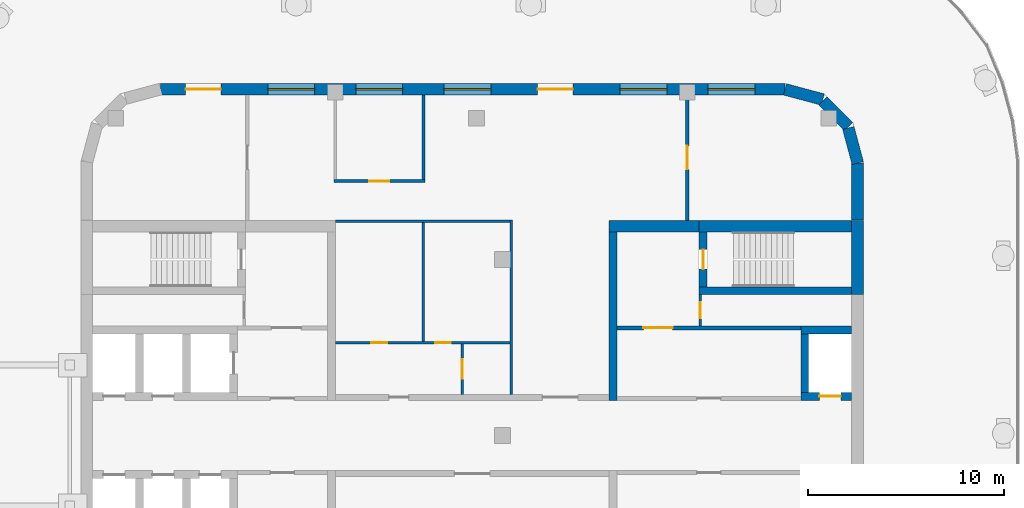
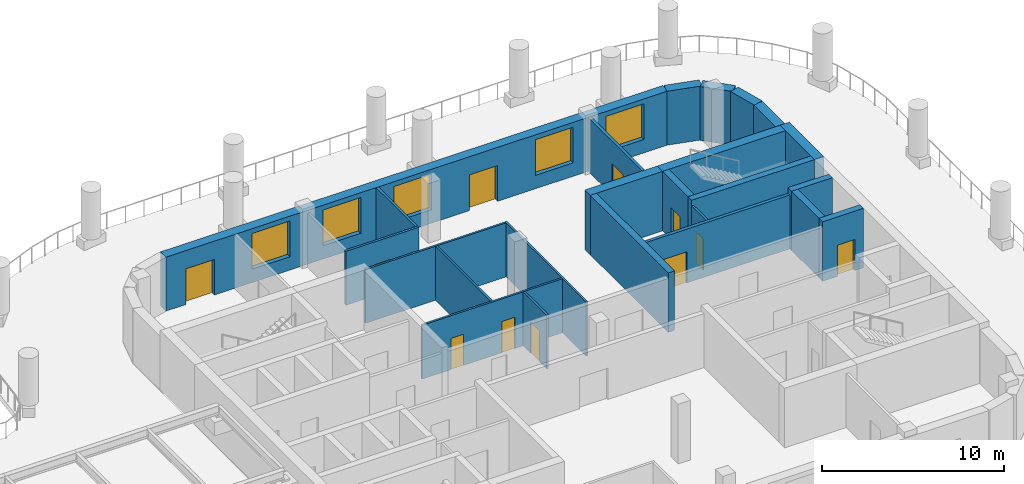
# One storey, part 11 of 18: 24 walls, 11 doors, 5 windows, 16 openings.
"""IFC4 building model written with IfcOpenShell, lengths in metres."""

from ifc_helpers import new_model, si_unit, direction, frame, frame_2d, origin, place, context, subcontext, project, spatial, rectangle, extrude, material, layer, layer_set, type_object, element, fill, save


model = new_model("IFC4")

# Units and contexts
model_context = context("Model", 3, precision=1e-05, world=origin(), true_north=direction((0.0, 1.0)))
body_context = subcontext(model_context, "Body", "Model", "MODEL_VIEW")
ifc_project = project(units=[si_unit("LENGTHUNIT", "METRE"), si_unit("AREAUNIT", "SQUARE_METRE"), si_unit("VOLUMEUNIT", "CUBIC_METRE"), si_unit("PLANEANGLEUNIT", "RADIAN"), si_unit("MASSUNIT", "GRAM", prefix="KILO")], contexts=[model_context])

# Site, building, storey
site_placement = place(None, origin())
site = spatial("IfcSite", under=ifc_project, at=site_placement, CompositionType="ELEMENT")
building_placement = place(site_placement, origin())
building = spatial("IfcBuilding", under=site, at=building_placement, Name="Skarvind Civic Tower", CompositionType="ELEMENT")
storey_placement = place(building_placement, frame((0.0, 0.0, 27.5)))
storey = spatial("IfcBuildingStorey", under=building, at=storey_placement, Name="L05", CompositionType="ELEMENT", Elevation=27.5)

# Wall, opening, door
ifc_material_1 = material(Name="Acoustic gypsum board on steel studs", Category="steel")
ifc_layer_1 = layer(ifc_material_1, 0.175048828125)
ifc_layer_set_1 = layer_set([ifc_layer_1], Name="ACOUSTIC MEETING-ROOM PARTITION 175")
wall_type_1 = type_object("IfcWallType", Name="ACOUSTIC MEETING-ROOM PARTITION 175", PredefinedType="PARTITIONING", material=ifc_layer_set_1)
wall_1_placement = place(storey_placement, frame((158.0, 139.0, 0.0), z_axis=(0.0, 0.0, 1.0), x_axis=(0.0, 1.0, 0.0)))
wall_1 = element("IfcWall", 1, at=wall_1_placement, inside=storey, type_object=wall_type_1, Name="Partition 05.017", PredefinedType="PARTITIONING", context=body_context, shape_type="SweptSolid", body=[
    extrude(rectangle(XDim=6.39990234375, YDim=0.175048828125, at=frame_2d((3.199951171875, 0.0))), origin(), (0.0, 0.0, 1.0), 3.625),
])
opening_1_placement = place(wall_1_placement, frame((2.60009765625, 0.0, 0.0)))
opening_1 = element("IfcOpeningElement", 2, at=opening_1_placement, cuts=wall_1, Name="Opening L05-D108", PredefinedType="OPENING", context=body_context, shape_type="SweptSolid", body=[
    extrude(rectangle(XDim=1.199951171875, YDim=2.10009765625, at=frame_2d((0.60009765625, 1.050048828125))), frame((0.0, 0.097412109375, 0.0), z_axis=(0.0, -1.0, 0.0), x_axis=(1.0, 0.0, 0.0)), (0.0, 0.0, 1.0), 0.195068359375),
])
ifc_material_2 = material(Name="Timber door leaf", Category="wood")
door_type_1 = type_object("IfcDoorType", Name="DOOR 1200X2100 DOUBLE TIMBER", OperationType="NOTDEFINED", PredefinedType="DOOR", material=ifc_material_2)
door_1_placement = place(opening_1_placement, origin())
door_1 = element("IfcDoor", 3, at=door_1_placement, inside=storey, type_object=door_type_1, Name="Door L05-D108", OperationType="DOUBLE_DOOR_SINGLE_SWING", OverallHeight=2.10009765625, OverallWidth=1.199951171875, PredefinedType="DOOR", context=body_context, shape_type="SweptSolid", body=[
    extrude(rectangle(XDim=1.199951171875, YDim=2.10009765625, at=frame_2d((0.60009765625, 1.050048828125))), frame((0.0, 0.02490234375, 0.0), z_axis=(0.0, -1.0, 0.0), x_axis=(1.0, 0.0, 0.0)), (0.0, 0.0, 1.0), 0.050048828125),
])
fill(opening_1, door_1)

ifc_material_3 = material(Name="Fire-rated masonry partition", Category="masonry")
ifc_layer_2 = layer(ifc_material_3, 0.199951171875)
ifc_layer_set_2 = layer_set([ifc_layer_2], Name="Core enclosure wall 200")
wall_type_2 = type_object("IfcWallType", Name="Core enclosure wall 200", PredefinedType="PARTITIONING", material=ifc_layer_set_2)
wall_2_placement = place(storey_placement, frame((154.39990234375, 133.5, 0.0), z_axis=(0.0, 0.0, 1.0), x_axis=(1.0, 0.0, 0.0)))
wall_2 = element("IfcWall", 4, at=wall_2_placement, inside=storey, type_object=wall_type_2, Name="Core wall CB", PredefinedType="PARTITIONING", context=body_context, shape_type="SweptSolid", body=[
    extrude(rectangle(XDim=9.400146484375, YDim=0.199951171875, at=frame_2d((4.7001953125, 0.0))), origin(), (0.0, 0.0, 1.0), 3.625),
])
opening_2_placement = place(wall_2_placement, frame((1.35009765625, 0.0, 0.0)))
opening_2 = element("IfcOpeningElement", 5, at=opening_2_placement, cuts=wall_2, Name="Opening D-L05-CB-08", PredefinedType="OPENING", context=body_context, shape_type="SweptSolid", body=[
    extrude(rectangle(XDim=1.5, YDim=2.10009765625, at=frame_2d((0.75, 1.050048828125))), frame((0.0, 0.10986328125, 0.0), z_axis=(0.0, -1.0, 0.0), x_axis=(1.0, 0.0, 0.0)), (0.0, 0.0, 1.0), 0.219970703125),
])
ifc_material_4 = material(Name="Fire-rated steel door", Category="steel")
door_type_2 = type_object("IfcDoorType", Name="Fire door 1500", OperationType="NOTDEFINED", PredefinedType="DOOR", material=ifc_material_4)
door_2_placement = place(opening_2_placement, origin())
door_2 = element("IfcDoor", 6, at=door_2_placement, inside=storey, type_object=door_type_2, Name="Fire door", OperationType="DOUBLE_DOOR_SINGLE_SWING", OverallHeight=2.10009765625, OverallWidth=1.5, PredefinedType="DOOR", context=body_context, shape_type="SweptSolid", body=[
    extrude(rectangle(XDim=1.5, YDim=2.10009765625, at=frame_2d((0.75, 1.050048828125))), frame((0.0, 0.02490234375, 0.0), z_axis=(0.0, -1.0, 0.0), x_axis=(1.0, 0.0, 0.0)), (0.0, 0.0, 1.0), 0.050048828125),
])
fill(opening_2, door_2)

# Wall
ifc_material_5 = material(Name="Concrete C80", Category="concrete")
ifc_layer_3 = layer(ifc_material_5, 0.39990234375)
ifc_layer_set_3 = layer_set([ifc_layer_3], Name="Core wall 400 C80")
wall_type_3 = type_object("IfcWallType", Name="Core wall 400 C80", PredefinedType="SHEAR", material=ifc_layer_set_3)
wall_3_placement = place(storey_placement, frame((166.39990234375, 135.39990234375, 0.0), z_axis=(0.0, 0.0, 1.0), x_axis=(-1.0, 0.0, 0.0)))
element("IfcWall", 7, at=wall_3_placement, inside=storey, type_object=wall_type_3, Name="Core wall CB south stair inner L05", PredefinedType="SHEAR", context=body_context, shape_type="SweptSolid", body=[
    extrude(rectangle(XDim=7.7998046875, YDim=0.39990234375, at=frame_2d((3.89990234375, 0.0))), origin(), (0.0, 0.0, 1.0), 4.0),
])

# Wall, opening, door
wall_4_placement = place(storey_placement, frame((158.800048828125, 138.39990234375, 0.0), z_axis=(0.0, 0.0, 1.0), x_axis=(0.0, -1.0, 0.0)))
wall_4 = element("IfcWall", 8, at=wall_4_placement, inside=storey, type_object=wall_type_3, Name="Core wall CB south stair end L05", PredefinedType="SHEAR", context=body_context, shape_type="SweptSolid", body=[
    extrude(rectangle(XDim=2.7998046875, YDim=0.39990234375, at=frame_2d((1.39990234375, 0.0))), origin(), (0.0, 0.0, 1.0), 4.0),
])
opening_3_placement = place(wall_4_placement, frame((0.89990234375, 0.0, 0.0)))
opening_3 = element("IfcOpeningElement", 9, at=opening_3_placement, cuts=wall_4, Name="Opening D-L05-CB-09", PredefinedType="OPENING", context=body_context, shape_type="SweptSolid", body=[
    extrude(rectangle(XDim=1.0, YDim=2.10009765625, at=frame_2d((0.5, 1.050048828125))), frame((0.0, 0.2099609375, 0.0), z_axis=(0.0, -1.0, 0.0), x_axis=(1.0, 0.0, 0.0)), (0.0, 0.0, 1.0), 0.419921875),
])
door_type_3 = type_object("IfcDoorType", Name="Fire door 1000", OperationType="NOTDEFINED", PredefinedType="DOOR", material=ifc_material_4)
door_3_placement = place(opening_3_placement, origin())
door_3 = element("IfcDoor", 10, at=door_3_placement, inside=storey, type_object=door_type_3, Name="Fire door", OperationType="SINGLE_SWING_RIGHT", OverallHeight=2.10009765625, OverallWidth=1.0, PredefinedType="DOOR", context=body_context, shape_type="SweptSolid", body=[
    extrude(rectangle(XDim=1.0, YDim=2.10009765625, at=frame_2d((0.5, 1.050048828125))), frame((0.0, 0.02490234375, 0.0), z_axis=(0.0, -1.0, 0.0), x_axis=(1.0, 0.0, 0.0)), (0.0, 0.0, 1.0), 0.050048828125),
])
fill(opening_3, door_3)

wall_5_placement = place(storey_placement, frame((166.39990234375, 130.0, 0.0), z_axis=(0.0, 0.0, 1.0), x_axis=(-1.0, 0.0, 0.0)))
wall_5 = element("IfcWall", 11, at=wall_5_placement, inside=storey, type_object=wall_type_3, Name="Core wall CB south lift row front L05", PredefinedType="SHEAR", context=body_context, shape_type="SweptSolid", body=[
    extrude(rectangle(XDim=2.599853515625, YDim=0.39990234375, at=frame_2d((1.2998046875, 0.0))), origin(), (0.0, 0.0, 1.0), 4.0),
])
opening_4_placement = place(wall_5_placement, frame((0.550048828125, 0.0, 0.0)))
opening_4 = element("IfcOpeningElement", 12, at=opening_4_placement, cuts=wall_5, Name="Opening LD07402", PredefinedType="OPENING", context=body_context, shape_type="SweptSolid", body=[
    extrude(rectangle(XDim=1.10009765625, YDim=2.10009765625, at=frame_2d((0.550048828125, 1.050048828125))), frame((0.0, 0.2099609375, 0.0), z_axis=(0.0, -1.0, 0.0), x_axis=(1.0, 0.0, 0.0)), (0.0, 0.0, 1.0), 0.419921875),
])
ifc_material_6 = material(Name="Stainless steel landing door", Category="steel")
door_type_4 = type_object("IfcDoorType", Name="Lift landing door 1100", OperationType="DOUBLE_DOOR_SLIDING", PredefinedType="DOOR", material=ifc_material_6)
door_4_placement = place(opening_4_placement, origin())
door_4 = element("IfcDoor", 13, at=door_4_placement, inside=storey, type_object=door_type_4, Name="Lift landing door", OperationType="DOUBLE_DOOR_SLIDING", OverallHeight=2.10009765625, OverallWidth=1.10009765625, PredefinedType="DOOR", context=body_context, shape_type="SweptSolid", body=[
    extrude(rectangle(XDim=1.10009765625, YDim=2.10009765625, at=frame_2d((0.550048828125, 1.050048828125))), frame((0.0, 0.02490234375, 0.0), z_axis=(0.0, -1.0, 0.0), x_axis=(1.0, 0.0, 0.0)), (0.0, 0.0, 1.0), 0.050048828125),
])
fill(opening_4, door_4)

# Walls
wall_6_placement = place(storey_placement, frame((166.39990234375, 133.39990234375, 0.0), z_axis=(0.0, 0.0, 1.0), x_axis=(-1.0, 0.0, 0.0)))
element("IfcWall", 14, at=wall_6_placement, inside=storey, type_object=wall_type_3, Name="Core wall CB south lift row back L05", PredefinedType="SHEAR", context=body_context, shape_type="SweptSolid", body=[
    extrude(rectangle(XDim=2.599853515625, YDim=0.39990234375, at=frame_2d((1.2998046875, 0.0))), origin(), (0.0, 0.0, 1.0), 4.0),
])
wall_7_placement = place(storey_placement, frame((164.0, 133.199951171875, 0.0), z_axis=(0.0, 0.0, 1.0), x_axis=(0.0, -1.0, 0.0)))
element("IfcWall", 15, at=wall_7_placement, inside=storey, type_object=wall_type_3, Name="Core wall CB south lift row division 1 L05", PredefinedType="SHEAR", context=body_context, shape_type="SweptSolid", body=[
    extrude(rectangle(XDim=3.0, YDim=0.39990234375, at=frame_2d((1.5, 0.0))), origin(), (0.0, 0.0, 1.0), 4.0),
])
wall_8_placement = place(storey_placement, frame((154.199951171875, 138.39990234375, 0.0), z_axis=(0.0, 0.0, 1.0), x_axis=(0.0, -1.0, 0.0)))
element("IfcWall", 16, at=wall_8_placement, inside=storey, type_object=wall_type_3, Name="Core wall CB south inner face L05", PredefinedType="SHEAR", context=body_context, shape_type="SweptSolid", body=[
    extrude(rectangle(XDim=8.599853515625, YDim=0.39990234375, at=frame_2d((4.2998046875, 0.0))), origin(), (0.0, 0.0, 1.0), 4.0),
])
ifc_layer_4 = layer(ifc_material_5, 0.60009765625)
ifc_layer_set_4 = layer_set([ifc_layer_4], Name="Core wall 600 C80")
wall_type_4 = type_object("IfcWallType", Name="Core wall 600 C80", PredefinedType="SHEAR", material=ifc_layer_set_4)
wall_9_placement = place(storey_placement, frame((166.699951171875, 139.0, 0.0), z_axis=(0.0, 0.0, 1.0), x_axis=(0.0, -1.0, 0.0)))
element("IfcWall", 17, at=wall_9_placement, inside=storey, type_object=wall_type_4, Name="Core wall CB tip at the south stair L05", PredefinedType="SHEAR", context=body_context, shape_type="SweptSolid", body=[
    extrude(rectangle(XDim=3.800048828125, YDim=0.60009765625, at=frame_2d((1.89990234375, 0.0))), origin(), (0.0, 0.0, 1.0), 4.0),
])
wall_10_placement = place(storey_placement, frame((166.39990234375, 138.699951171875, 0.0), z_axis=(0.0, 0.0, 1.0), x_axis=(-1.0, 0.0, 0.0)))
element("IfcWall", 18, at=wall_10_placement, inside=storey, type_object=wall_type_4, Name="Core wall CB south side at the stair L05", PredefinedType="SHEAR", context=body_context, shape_type="SweptSolid", body=[
    extrude(rectangle(XDim=7.7998046875, YDim=0.60009765625, at=frame_2d((3.89990234375, 0.0))), origin(), (0.0, 0.0, 1.0), 4.0),
])
wall_11_placement = place(storey_placement, frame((158.60009765625, 138.699951171875, 0.0), z_axis=(0.0, 0.0, 1.0), x_axis=(-1.0, 0.0, 0.0)))
element("IfcWall", 19, at=wall_11_placement, inside=storey, type_object=wall_type_4, Name="Core wall CB south side L05", PredefinedType="SHEAR", context=body_context, shape_type="SweptSolid", body=[
    extrude(rectangle(XDim=4.60009765625, YDim=0.60009765625, at=frame_2d((2.300048828125, 0.0))), origin(), (0.0, 0.0, 1.0), 4.0),
])

# Wall, opening, door
ifc_material_7 = material(Name="Plasterboard partition on steel studs", Category="steel")
ifc_layer_5 = layer(ifc_material_7, 0.14990234375)
ifc_layer_set_5 = layer_set([ifc_layer_5], Name="PARTITION 150")
wall_type_5 = type_object("IfcWallType", Name="PARTITION 150", PredefinedType="PARTITIONING", material=ifc_layer_set_5)
wall_12_placement = place(storey_placement, frame((144.574951171875, 141.0, 0.0), z_axis=(0.0, 0.0, 1.0), x_axis=(-1.0, 0.0, 0.0)))
wall_12 = element("IfcWall", 20, at=wall_12_placement, inside=storey, type_object=wall_type_5, Name="Partition 05.011", PredefinedType="PARTITIONING", context=body_context, shape_type="SweptSolid", body=[
    extrude(rectangle(XDim=4.64990234375, YDim=0.14990234375, at=frame_2d((2.324951171875, 0.0))), origin(), (0.0, 0.0, 1.0), 3.625),
])
opening_5_placement = place(wall_12_placement, frame((1.824951171875, 0.0, 0.0)))
opening_5 = element("IfcOpeningElement", 21, at=opening_5_placement, cuts=wall_12, Name="Opening L05-D106", PredefinedType="OPENING", context=body_context, shape_type="SweptSolid", body=[
    extrude(rectangle(XDim=1.0, YDim=2.10009765625, at=frame_2d((0.5, 1.050048828125))), frame((0.0, 0.0849609375, 0.0), z_axis=(0.0, -1.0, 0.0), x_axis=(1.0, 0.0, 0.0)), (0.0, 0.0, 1.0), 0.169921875),
])
door_type_5 = type_object("IfcDoorType", Name="D1 1000x2100", OperationType="NOTDEFINED", PredefinedType="DOOR", material=ifc_material_2)
door_5_placement = place(opening_5_placement, origin())
door_5 = element("IfcDoor", 22, at=door_5_placement, inside=storey, type_object=door_type_5, Name="Door L05-D106", OperationType="SINGLE_SWING_LEFT", OverallHeight=2.10009765625, OverallWidth=1.0, PredefinedType="DOOR", context=body_context, shape_type="SweptSolid", body=[
    extrude(rectangle(XDim=1.0, YDim=2.10009765625, at=frame_2d((0.5, 1.050048828125))), frame((0.0, 0.02490234375, 0.0), z_axis=(0.0, -1.0, 0.0), x_axis=(1.0, 0.0, 0.0)), (0.0, 0.0, 1.0), 0.050048828125),
])
fill(opening_5, door_5)

# Wall
wall_13_placement = place(storey_placement, frame((144.5, 145.39990234375, 0.0), z_axis=(0.0, 0.0, 1.0), x_axis=(0.0, -1.0, 0.0)))
element("IfcWall", 23, at=wall_13_placement, inside=storey, type_object=wall_type_5, Name="Partition 05.012", PredefinedType="PARTITIONING", context=body_context, shape_type="SweptSolid", body=[
    extrude(rectangle(XDim=4.324951171875, YDim=0.14990234375, at=frame_2d((2.16259765625, 0.0))), origin(), (0.0, 0.0, 1.0), 3.625),
])

# Wall, opening, door
ifc_layer_6 = layer(ifc_material_3, 0.125)
ifc_layer_set_6 = layer_set([ifc_layer_6], Name="Riser wall 125")
wall_type_6 = type_object("IfcWallType", Name="Riser wall 125", PredefinedType="PARTITIONING", material=ifc_layer_set_6)
wall_14_placement = place(storey_placement, frame((158.66259765625, 133.60009765625, 0.0), z_axis=(0.0, 0.0, 1.0), x_axis=(0.0, 1.0, 0.0)))
wall_14 = element("IfcWall", 24, at=wall_14_placement, inside=storey, type_object=wall_type_6, Name="Core wall CB", PredefinedType="PARTITIONING", context=body_context, shape_type="SweptSolid", body=[
    extrude(rectangle(XDim=1.599853515625, YDim=0.125, at=frame_2d((0.7998046875, 0.0))), origin(), (0.0, 0.0, 1.0), 3.625),
])
opening_6_placement = place(wall_14_placement, frame((0.39990234375, 0.0, 0.0)))
opening_6 = element("IfcOpeningElement", 25, at=opening_6_placement, cuts=wall_14, Name="Opening D-L05-CB-10", PredefinedType="OPENING", context=body_context, shape_type="SweptSolid", body=[
    extrude(rectangle(XDim=0.800048828125, YDim=2.10009765625, at=frame_2d((0.39990234375, 1.050048828125))), frame((0.0, 0.072509765625, 0.0), z_axis=(0.0, -1.0, 0.0), x_axis=(1.0, 0.0, 0.0)), (0.0, 0.0, 1.0), 0.14501953125),
])
door_type_6 = type_object("IfcDoorType", Name="Core riser door 800", OperationType="NOTDEFINED", PredefinedType="DOOR", material=ifc_material_4)
door_6_placement = place(opening_6_placement, origin())
door_6 = element("IfcDoor", 26, at=door_6_placement, inside=storey, type_object=door_type_6, Name="Riser door", OperationType="SINGLE_SWING_LEFT", OverallHeight=2.10009765625, OverallWidth=0.800048828125, PredefinedType="DOOR", context=body_context, shape_type="SweptSolid", body=[
    extrude(rectangle(XDim=0.800048828125, YDim=2.10009765625, at=frame_2d((0.39990234375, 1.050048828125))), frame((0.0, 0.02490234375, 0.0), z_axis=(0.0, -1.0, 0.0), x_axis=(1.0, 0.0, 0.0)), (0.0, 0.0, 1.0), 0.050048828125),
])
fill(opening_6, door_6)

# Wall, openings, doors
ifc_material_8 = material(Name="Moisture-resistant gypsum board on steel studs", Category="steel")
ifc_layer_7 = layer(ifc_material_8, 0.125)
ifc_layer_set_7 = layer_set([ifc_layer_7], Name="WC PARTITION 125")
wall_type_7 = type_object("IfcWallType", Name="WC PARTITION 125", PredefinedType="PARTITIONING", material=ifc_layer_set_7)
wall_15_placement = place(storey_placement, frame((140.0, 132.75, 0.0), z_axis=(0.0, 0.0, 1.0), x_axis=(1.0, 0.0, 0.0)))
wall_15 = element("IfcWall", 27, at=wall_15_placement, inside=storey, type_object=wall_type_7, Name="Partition 05.006", PredefinedType="PARTITIONING", context=body_context, shape_type="SweptSolid", body=[
    extrude(rectangle(XDim=8.93798828125, YDim=0.125, at=frame_2d((4.468994140625, 0.0))), origin(), (0.0, 0.0, 1.0), 3.625),
])
opening_7_placement = place(wall_15_placement, frame((1.85009765625, 0.0, 0.0)))
opening_7 = element("IfcOpeningElement", 28, at=opening_7_placement, cuts=wall_15, Name="Opening L05-D103", PredefinedType="OPENING", context=body_context, shape_type="SweptSolid", body=[
    extrude(rectangle(XDim=0.800048828125, YDim=2.10009765625, at=frame_2d((0.39990234375, 1.050048828125))), frame((0.0, 0.072509765625, 0.0), z_axis=(0.0, -1.0, 0.0), x_axis=(1.0, 0.0, 0.0)), (0.0, 0.0, 1.0), 0.14501953125),
])
opening_8_placement = place(wall_15_placement, frame((5.1015625, 0.0, 0.0)))
opening_8 = element("IfcOpeningElement", 29, at=opening_8_placement, cuts=wall_15, Name="Opening L05-D104", PredefinedType="OPENING", context=body_context, shape_type="SweptSolid", body=[
    extrude(rectangle(XDim=0.800048828125, YDim=2.10009765625, at=frame_2d((0.39990234375, 1.050048828125))), frame((0.0, 0.072509765625, 0.0), z_axis=(0.0, -1.0, 0.0), x_axis=(1.0, 0.0, 0.0)), (0.0, 0.0, 1.0), 0.14501953125),
])
door_type_7 = type_object("IfcDoorType", Name="DOOR 800X2100 TIMBER", OperationType="NOTDEFINED", PredefinedType="DOOR", material=ifc_material_2)
door_7_placement = place(opening_7_placement, origin())
door_7 = element("IfcDoor", 30, at=door_7_placement, inside=storey, type_object=door_type_7, Name="Door L05-D103", OperationType="SINGLE_SWING_LEFT", OverallHeight=2.10009765625, OverallWidth=0.800048828125, PredefinedType="DOOR", context=body_context, shape_type="SweptSolid", body=[
    extrude(rectangle(XDim=0.800048828125, YDim=2.10009765625, at=frame_2d((0.39990234375, 1.050048828125))), frame((0.0, 0.02490234375, 0.0), z_axis=(0.0, -1.0, 0.0), x_axis=(1.0, 0.0, 0.0)), (0.0, 0.0, 1.0), 0.050048828125),
])
fill(opening_7, door_7)
door_8_placement = place(opening_8_placement, origin())
door_8 = element("IfcDoor", 31, at=door_8_placement, inside=storey, type_object=door_type_7, Name="Door L05-D104", OperationType="SINGLE_SWING_LEFT", OverallHeight=2.10009765625, OverallWidth=0.800048828125, PredefinedType="DOOR", context=body_context, shape_type="SweptSolid", body=[
    extrude(rectangle(XDim=0.800048828125, YDim=2.10009765625, at=frame_2d((0.39990234375, 1.050048828125))), frame((0.0, 0.02490234375, 0.0), z_axis=(0.0, -1.0, 0.0), x_axis=(1.0, 0.0, 0.0)), (0.0, 0.0, 1.0), 0.050048828125),
])
fill(opening_8, door_8)

# Walls
wall_16_placement = place(storey_placement, frame((140.0, 138.949951171875, 0.0), z_axis=(0.0, 0.0, 1.0), x_axis=(1.0, 0.0, 0.0)))
element("IfcWall", 32, at=wall_16_placement, inside=storey, type_object=wall_type_7, Name="Partition 05.007", PredefinedType="PARTITIONING", context=body_context, shape_type="SweptSolid", body=[
    extrude(rectangle(XDim=8.93798828125, YDim=0.125, at=frame_2d((4.468994140625, 0.0))), origin(), (0.0, 0.0, 1.0), 3.625),
])
wall_17_placement = place(storey_placement, frame((144.5, 132.81201171875, 0.0), z_axis=(0.0, 0.0, 1.0), x_axis=(0.0, 1.0, 0.0)))
element("IfcWall", 33, at=wall_17_placement, inside=storey, type_object=wall_type_7, Name="Partition 05.010", PredefinedType="PARTITIONING", context=body_context, shape_type="SweptSolid", body=[
    extrude(rectangle(XDim=6.075927734375, YDim=0.125, at=frame_2d((3.0380859375, 0.0))), origin(), (0.0, 0.0, 1.0), 3.625),
])

# Wall, opening, door
wall_18_placement = place(storey_placement, frame((146.5, 132.68798828125, 0.0), z_axis=(0.0, 0.0, 1.0), x_axis=(0.0, -1.0, 0.0)))
wall_18 = element("IfcWall", 34, at=wall_18_placement, inside=storey, type_object=wall_type_7, Name="Partition 05.013", PredefinedType="PARTITIONING", context=body_context, shape_type="SweptSolid", body=[
    extrude(rectangle(XDim=2.587890625, YDim=0.125, at=frame_2d((1.2939453125, 0.0))), origin(), (0.0, 0.0, 1.0), 3.625),
])
opening_9_placement = place(wall_18_placement, frame((0.7939453125, 0.0, 0.0)))
opening_9 = element("IfcOpeningElement", 35, at=opening_9_placement, cuts=wall_18, Name="Opening L05-D102", PredefinedType="OPENING", context=body_context, shape_type="SweptSolid", body=[
    extrude(rectangle(XDim=1.0, YDim=2.10009765625, at=frame_2d((0.5, 1.050048828125))), frame((0.0, 0.072509765625, 0.0), z_axis=(0.0, -1.0, 0.0), x_axis=(1.0, 0.0, 0.0)), (0.0, 0.0, 1.0), 0.14501953125),
])
door_9_placement = place(opening_9_placement, origin())
door_9 = element("IfcDoor", 36, at=door_9_placement, inside=storey, type_object=door_type_5, Name="Door L05-D102", OperationType="SINGLE_SWING_RIGHT", OverallHeight=2.10009765625, OverallWidth=1.0, PredefinedType="DOOR", context=body_context, shape_type="SweptSolid", body=[
    extrude(rectangle(XDim=1.0, YDim=2.10009765625, at=frame_2d((0.5, 1.050048828125))), frame((0.0, 0.02490234375, 0.0), z_axis=(0.0, -1.0, 0.0), x_axis=(1.0, 0.0, 0.0)), (0.0, 0.0, 1.0), 0.050048828125),
])
fill(opening_9, door_9)

# Wall
wall_19_placement = place(storey_placement, frame((149.0, 139.011962890625, 0.0), z_axis=(0.0, 0.0, 1.0), x_axis=(0.0, -1.0, 0.0)))
element("IfcWall", 37, at=wall_19_placement, inside=storey, type_object=wall_type_7, Name="Partition 05.014", PredefinedType="PARTITIONING", context=body_context, shape_type="SweptSolid", body=[
    extrude(rectangle(XDim=8.911865234375, YDim=0.125, at=frame_2d((4.4560546875, 0.0))), origin(), (0.0, 0.0, 1.0), 3.625),
])

# Wall, openings, doors, windows
ifc_material_9 = material(Name="Limestone masonry cladding on insulated backing", Category="masonry")
ifc_layer_8 = layer(ifc_material_9, 0.60009765625)
ifc_layer_set_8 = layer_set([ifc_layer_8], Name="WX1 STONE FACADE WALL 600")
wall_type_8 = type_object("IfcWallType", Name="WX1 STONE FACADE WALL 600", PredefinedType="SOLIDWALL", material=ifc_layer_set_8)
wall_20_placement = place(storey_placement, frame((131.070068359375, 145.699951171875, 0.0), z_axis=(0.0, 0.0, 1.0), x_axis=(1.0, 0.0, 0.0)))
wall_20 = element("IfcWall", 38, at=wall_20_placement, inside=storey, type_object=wall_type_8, Name="STONE FACADE WALL", PredefinedType="SOLIDWALL", context=body_context, shape_type="SweptSolid", body=[
    extrude(rectangle(XDim=31.929931640625, YDim=0.60009765625, at=frame_2d((15.96484375, 0.0))), origin(), (0.0, 0.0, 1.0), 3.625),
])
opening_10_placement = place(wall_20_placement, frame((1.280029296875, 0.0, 0.0)))
opening_10 = element("IfcOpeningElement", 39, at=opening_10_placement, cuts=wall_20, Name="Opening DX3", PredefinedType="OPENING", context=body_context, shape_type="SweptSolid", body=[
    extrude(rectangle(XDim=1.800048828125, YDim=2.39990234375, at=frame_2d((0.89990234375, 1.199951171875))), frame((0.0, 0.31005859375, 0.0), z_axis=(0.0, -1.0, 0.0), x_axis=(1.0, 0.0, 0.0)), (0.0, 0.0, 1.0), 0.6201171875),
])
opening_11_placement = place(wall_20_placement, frame((5.47998046875, 0.0, 0.89990234375)))
opening_11 = element("IfcOpeningElement", 40, at=opening_11_placement, cuts=wall_20, Name="Opening WN9", PredefinedType="OPENING", context=body_context, shape_type="SweptSolid", body=[
    extrude(rectangle(XDim=2.39990234375, YDim=2.39990234375, at=frame_2d((1.199951171875, 1.199951171875))), frame((0.0, 0.31005859375, 0.0), z_axis=(0.0, -1.0, 0.0), x_axis=(1.0, 0.0, 0.0)), (0.0, 0.0, 1.0), 0.6201171875),
])
opening_12_placement = place(wall_20_placement, frame((9.97998046875, 0.0, 0.89990234375)))
opening_12 = element("IfcOpeningElement", 41, at=opening_12_placement, cuts=wall_20, Name="Opening WN9", PredefinedType="OPENING", context=body_context, shape_type="SweptSolid", body=[
    extrude(rectangle(XDim=2.39990234375, YDim=2.39990234375, at=frame_2d((1.199951171875, 1.199951171875))), frame((0.0, 0.31005859375, 0.0), z_axis=(0.0, -1.0, 0.0), x_axis=(1.0, 0.0, 0.0)), (0.0, 0.0, 1.0), 0.6201171875),
])
opening_13_placement = place(wall_20_placement, frame((14.47998046875, 0.0, 0.89990234375)))
opening_13 = element("IfcOpeningElement", 42, at=opening_13_placement, cuts=wall_20, Name="Opening WN9", PredefinedType="OPENING", context=body_context, shape_type="SweptSolid", body=[
    extrude(rectangle(XDim=2.39990234375, YDim=2.39990234375, at=frame_2d((1.199951171875, 1.199951171875))), frame((0.0, 0.31005859375, 0.0), z_axis=(0.0, -1.0, 0.0), x_axis=(1.0, 0.0, 0.0)), (0.0, 0.0, 1.0), 0.6201171875),
])
opening_14_placement = place(wall_20_placement, frame((19.280029296875, 0.0, 0.0)))
opening_14 = element("IfcOpeningElement", 43, at=opening_14_placement, cuts=wall_20, Name="Opening DX3", PredefinedType="OPENING", context=body_context, shape_type="SweptSolid", body=[
    extrude(rectangle(XDim=1.800048828125, YDim=2.39990234375, at=frame_2d((0.89990234375, 1.199951171875))), frame((0.0, 0.31005859375, 0.0), z_axis=(0.0, -1.0, 0.0), x_axis=(1.0, 0.0, 0.0)), (0.0, 0.0, 1.0), 0.6201171875),
])
opening_15_placement = place(wall_20_placement, frame((23.47998046875, 0.0, 0.89990234375)))
opening_15 = element("IfcOpeningElement", 44, at=opening_15_placement, cuts=wall_20, Name="Opening WN9", PredefinedType="OPENING", context=body_context, shape_type="SweptSolid", body=[
    extrude(rectangle(XDim=2.39990234375, YDim=2.39990234375, at=frame_2d((1.199951171875, 1.199951171875))), frame((0.0, 0.31005859375, 0.0), z_axis=(0.0, -1.0, 0.0), x_axis=(1.0, 0.0, 0.0)), (0.0, 0.0, 1.0), 0.6201171875),
])
opening_16_placement = place(wall_20_placement, frame((27.97998046875, 0.0, 0.89990234375)))
opening_16 = element("IfcOpeningElement", 45, at=opening_16_placement, cuts=wall_20, Name="Opening WN9", PredefinedType="OPENING", context=body_context, shape_type="SweptSolid", body=[
    extrude(rectangle(XDim=2.39990234375, YDim=2.39990234375, at=frame_2d((1.199951171875, 1.199951171875))), frame((0.0, 0.31005859375, 0.0), z_axis=(0.0, -1.0, 0.0), x_axis=(1.0, 0.0, 0.0)), (0.0, 0.0, 1.0), 0.6201171875),
])
ifc_material_10 = material(Name="Timber and glass doorset", Category="wood")
door_type_8 = type_object("IfcDoorType", Name="DX3 TERRACE DOORS 1800 x 2400", OperationType="NOTDEFINED", PredefinedType="DOOR", material=ifc_material_10)
door_10_placement = place(opening_10_placement, origin())
door_10 = element("IfcDoor", 46, at=door_10_placement, inside=storey, type_object=door_type_8, Name="TERRACE DOORS", OperationType="DOUBLE_DOOR_SINGLE_SWING", OverallHeight=2.39990234375, OverallWidth=1.800048828125, PredefinedType="DOOR", context=body_context, shape_type="SweptSolid", body=[
    extrude(rectangle(XDim=1.800048828125, YDim=2.39990234375, at=frame_2d((0.89990234375, 1.199951171875))), frame((0.0, 0.02490234375, 0.0), z_axis=(0.0, -1.0, 0.0), x_axis=(1.0, 0.0, 0.0)), (0.0, 0.0, 1.0), 0.050048828125),
])
fill(opening_10, door_10)
door_11_placement = place(opening_14_placement, origin())
door_11 = element("IfcDoor", 47, at=door_11_placement, inside=storey, type_object=door_type_8, Name="TERRACE DOORS", OperationType="DOUBLE_DOOR_SINGLE_SWING", OverallHeight=2.39990234375, OverallWidth=1.800048828125, PredefinedType="DOOR", context=body_context, shape_type="SweptSolid", body=[
    extrude(rectangle(XDim=1.800048828125, YDim=2.39990234375, at=frame_2d((0.89990234375, 1.199951171875))), frame((0.0, 0.02490234375, 0.0), z_axis=(0.0, -1.0, 0.0), x_axis=(1.0, 0.0, 0.0)), (0.0, 0.0, 1.0), 0.050048828125),
])
fill(opening_14, door_11)
ifc_material_11 = material(Name="Timber frame, double glazing, timber-lined reveal", Category="wood")
window_type = type_object("IfcWindowType", Name="WN9 COMPANION TOWER WINDOW 2400 x 2400", PartitioningType="SINGLE_PANEL", PredefinedType="WINDOW", material=ifc_material_11)
window_1_placement = place(opening_11_placement, origin())
window_1 = element("IfcWindow", 48, at=window_1_placement, inside=storey, type_object=window_type, Name="WN9 WINDOW", OverallHeight=2.39990234375, OverallWidth=2.39990234375, PartitioningType="SINGLE_PANEL", PredefinedType="WINDOW", context=body_context, shape_type="SweptSolid", body=[
    extrude(rectangle(XDim=2.39990234375, YDim=2.39990234375, at=frame_2d((1.199951171875, 1.199951171875))), frame((0.0, 0.030029296875, 0.0), z_axis=(0.0, -1.0, 0.0), x_axis=(1.0, 0.0, 0.0)), (0.0, 0.0, 1.0), 0.06005859375),
])
fill(opening_11, window_1)
window_2_placement = place(opening_12_placement, origin())
window_2 = element("IfcWindow", 49, at=window_2_placement, inside=storey, type_object=window_type, Name="WN9 WINDOW", OverallHeight=2.39990234375, OverallWidth=2.39990234375, PartitioningType="SINGLE_PANEL", PredefinedType="WINDOW", context=body_context, shape_type="SweptSolid", body=[
    extrude(rectangle(XDim=2.39990234375, YDim=2.39990234375, at=frame_2d((1.199951171875, 1.199951171875))), frame((0.0, 0.030029296875, 0.0), z_axis=(0.0, -1.0, 0.0), x_axis=(1.0, 0.0, 0.0)), (0.0, 0.0, 1.0), 0.06005859375),
])
fill(opening_12, window_2)
window_3_placement = place(opening_13_placement, origin())
window_3 = element("IfcWindow", 50, at=window_3_placement, inside=storey, type_object=window_type, Name="WN9 WINDOW", OverallHeight=2.39990234375, OverallWidth=2.39990234375, PartitioningType="SINGLE_PANEL", PredefinedType="WINDOW", context=body_context, shape_type="SweptSolid", body=[
    extrude(rectangle(XDim=2.39990234375, YDim=2.39990234375, at=frame_2d((1.199951171875, 1.199951171875))), frame((0.0, 0.030029296875, 0.0), z_axis=(0.0, -1.0, 0.0), x_axis=(1.0, 0.0, 0.0)), (0.0, 0.0, 1.0), 0.06005859375),
])
fill(opening_13, window_3)
window_4_placement = place(opening_15_placement, origin())
window_4 = element("IfcWindow", 51, at=window_4_placement, inside=storey, type_object=window_type, Name="WN9 WINDOW", OverallHeight=2.39990234375, OverallWidth=2.39990234375, PartitioningType="SINGLE_PANEL", PredefinedType="WINDOW", context=body_context, shape_type="SweptSolid", body=[
    extrude(rectangle(XDim=2.39990234375, YDim=2.39990234375, at=frame_2d((1.199951171875, 1.199951171875))), frame((0.0, 0.030029296875, 0.0), z_axis=(0.0, -1.0, 0.0), x_axis=(1.0, 0.0, 0.0)), (0.0, 0.0, 1.0), 0.06005859375),
])
fill(opening_15, window_4)
window_5_placement = place(opening_16_placement, origin())
window_5 = element("IfcWindow", 52, at=window_5_placement, inside=storey, type_object=window_type, Name="WN9 WINDOW", OverallHeight=2.39990234375, OverallWidth=2.39990234375, PartitioningType="SINGLE_PANEL", PredefinedType="WINDOW", context=body_context, shape_type="SweptSolid", body=[
    extrude(rectangle(XDim=2.39990234375, YDim=2.39990234375, at=frame_2d((1.199951171875, 1.199951171875))), frame((0.0, 0.030029296875, 0.0), z_axis=(0.0, -1.0, 0.0), x_axis=(1.0, 0.0, 0.0)), (0.0, 0.0, 1.0), 0.06005859375),
])
fill(opening_16, window_5)

# Walls
wall_21_placement = place(storey_placement, frame((166.699951171875, 141.929931640625, 0.0), z_axis=(0.0, 0.0, 1.0), x_axis=(0.0, -1.0, 0.0)))
element("IfcWall", 53, at=wall_21_placement, inside=storey, type_object=wall_type_8, Name="STONE FACADE WALL", PredefinedType="SOLIDWALL", context=body_context, shape_type="SweptSolid", body=[
    extrude(rectangle(XDim=2.909912109375, YDim=0.60009765625, at=frame_2d((1.455078125, 0.0))), origin(), (0.0, 0.0, 1.0), 3.625),
])
for number, where, z_axis, x_axis, name in (
    (54, (166.228759765625, 143.719482421875, 0.0), (0.0, 0.0, 1.0), (0.258773254036, -0.965938094805, 0.0), "STONE FACADE WALL"),
    (55, (164.936279296875, 145.103515625, 0.0), (0.0, 0.0, 1.0), (0.707106781187, -0.707106781187, 0.0), "STONE FACADE WALL"),
):
    element("IfcWall", number, at=place(storey_placement, frame(where, z_axis=z_axis, x_axis=x_axis)), inside=storey, type_object=wall_type_8, Name=name, PredefinedType="SOLIDWALL", context=body_context, shape_type="SweptSolid", body=[
        extrude(rectangle(XDim=1.860595703125, YDim=0.60009765625, at=frame_2d((0.93017578125, 0.0))), origin(), (0.0, 0.0, 1.0), 3.625),
    ])
wall_22_placement = place(storey_placement, frame((162.989990234375, 145.692138671875, 0.0), z_axis=(0.0, 0.0, 1.0), x_axis=(0.965920269068, -0.258839784042, 0.0)))
element("IfcWall", 56, at=wall_22_placement, inside=storey, type_object=wall_type_8, Name="STONE FACADE WALL", PredefinedType="SOLIDWALL", context=body_context, shape_type="SweptSolid", body=[
    extrude(rectangle(XDim=2.00048828125, YDim=0.60009765625, at=frame_2d((1.000244140625, 0.0))), origin(), (0.0, 0.0, 1.0), 3.625),
])

save(model, "model.ifc")
